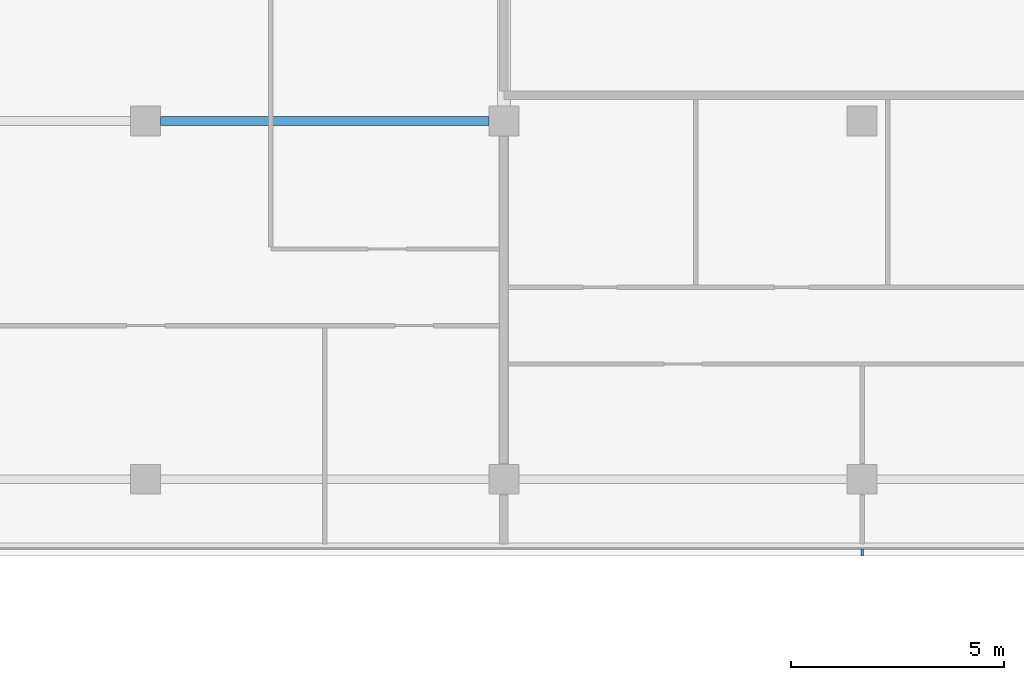
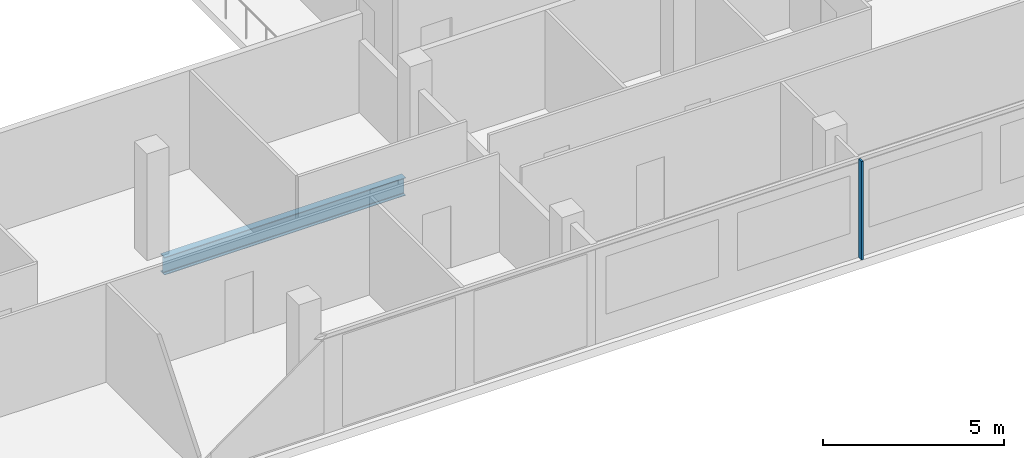
# One storey, part 6 of 30: 1 beam, 1 member, 1 element without a shape of its own.
"""IFC4 building model written with IfcOpenShell, lengths in metres."""

import ifcopenshell
import ifcopenshell.guid

model = None  # the IFC model being written
_history = None  # IfcOwnerHistory: only IFC2X3 demands one
_inside = {}  # id of a spatial element -> (the spatial element, [elements in it])
_under = {}  # id of a project, library or spatial element -> (it, [spatial elements below it])
_declared = {}  # id of a project -> (the project, [libraries it declares])
_typed = {}  # id of a type object -> (the type object, [elements of that type])
_made_of = {}  # id of a material, layer set ... -> (it, [elements and type objects made of it])


def new_model(schema):
    """Start an empty IFC model of exactly this schema.

    Asked for "IFC4X3", IfcOpenShell would pick the latest addendum, in which some entities
    have other attributes; the version numbers below select the first issue.
    IFC2X3 requires an IfcOwnerHistory on every rooted entity: one is made here for all.
    """
    global model, _history
    if schema == "IFC4X3":
        model = ifcopenshell.file(schema_version=(4, 3, 0, 0))
    else:
        model = ifcopenshell.file(schema=schema)
    _inside.clear()
    _under.clear()
    _declared.clear()
    _typed.clear()
    _made_of.clear()
    _history = None
    if model.schema == "IFC2X3":
        org = make("IfcOrganization", Name="unknown")
        user = make(
            "IfcPersonAndOrganization",
            ThePerson=make("IfcPerson", FamilyName="unknown"),
            TheOrganization=org,
        )
        app = make(
            "IfcApplication",
            ApplicationDeveloper=org,
            Version="unknown",
            ApplicationFullName="unknown",
            ApplicationIdentifier="unknown",
        )
        _history = make(
            "IfcOwnerHistory",
            OwningUser=user,
            OwningApplication=app,
            ChangeAction="ADDED",
            CreationDate=0,
        )
    return model


def make(cls, **values):
    """One entity of the class cls with the attributes given. An attribute that is None is left unset."""
    return model.create_entity(
        cls, **{name: value for name, value in values.items() if value is not None}
    )


def rooted(cls, **values):
    """An entity with a GlobalId (a new one), such as an element, a storey or a relation."""
    return make(cls, GlobalId=ifcopenshell.guid.new(), OwnerHistory=_history, **values)


def si_unit(unit_type, name, prefix=None):
    """IfcSIUnit, for example si_unit("LENGTHUNIT", "METRE", prefix="MILLI")."""
    return make("IfcSIUnit", UnitType=unit_type, Prefix=prefix, Name=name)


def assignment(units):
    """IfcUnitAssignment: the units of a project."""
    return None if units is None else make("IfcUnitAssignment", Units=units)


def point(xyz):
    """IfcCartesianPoint."""
    return None if xyz is None else make("IfcCartesianPoint", Coordinates=xyz)


def direction(xyz):
    """IfcDirection."""
    return None if xyz is None else make("IfcDirection", DirectionRatios=xyz)


def frame(location, z_axis=None, x_axis=None):
    """IfcAxis2Placement3D, a coordinate frame: its origin and axes. An axis left out is left unset."""
    return make(
        "IfcAxis2Placement3D",
        Location=point(location),
        Axis=direction(z_axis),
        RefDirection=direction(x_axis),
    )


def frame_2d(location, x_axis=None):
    """IfcAxis2Placement2D, a coordinate frame in the plane: its origin and x axis."""
    return make(
        "IfcAxis2Placement2D", Location=point(location), RefDirection=direction(x_axis)
    )


def origin():
    """The frame at (0, 0, 0) with its axes left unset."""
    return frame((0.0, 0.0, 0.0))


def origin_2d():
    """The frame at (0, 0) in the plane with its x axis left unset."""
    return frame_2d((0.0, 0.0))


def place(relative_to, where):
    """IfcLocalPlacement: puts the frame where relative to a parent placement (None: the world)."""
    return make(
        "IfcLocalPlacement", PlacementRelTo=relative_to, RelativePlacement=where
    )


def context(
    kind, dimensions, precision=None, world=None, true_north=None, identifier=None
):
    """IfcGeometricRepresentationContext, for example the 3D "Model" context."""
    return make(
        "IfcGeometricRepresentationContext",
        ContextIdentifier=identifier,
        ContextType=kind,
        CoordinateSpaceDimension=dimensions,
        Precision=precision,
        WorldCoordinateSystem=world,
        TrueNorth=true_north,
    )


def subcontext(parent, identifier, kind, view, scale=None):
    """IfcGeometricRepresentationSubContext, for example "Body" below "Model"."""
    return make(
        "IfcGeometricRepresentationSubContext",
        ContextIdentifier=identifier,
        ContextType=kind,
        ParentContext=parent,
        TargetScale=scale,
        TargetView=view,
    )


def project(units=None, contexts=None):
    """IfcProject with its units and contexts."""
    return rooted(
        "IfcProject",
        Name="project",
        RepresentationContexts=contexts,
        UnitsInContext=assignment(units),
    )


def spatial(cls, under=None, at=None, **own):
    """A site, building, storey or space (cls), placed at a placement, below another one or the project."""
    s = rooted(cls, ObjectPlacement=at, **own)
    if under is not None:
        _under.setdefault(under.id(), (under, []))[1].append(s)
    return s


def profile(cls, at=None, kind="AREA", **sizes):
    """A parametric profile (cls). Its sizes go by their IFC names, for example OverallWidth=200.0."""
    return make(cls, ProfileType=kind, Position=at, **sizes)


def rectangle(**sizes):
    """IfcRectangleProfileDef."""
    return profile("IfcRectangleProfileDef", **sizes)


def i_section(**sizes):
    """IfcIShapeProfileDef."""
    return profile("IfcIShapeProfileDef", **sizes)


def extrude(swept, where, along, depth):
    """IfcExtrudedAreaSolid: the profile swept, set in the frame where, extruded along a direction by depth."""
    return make(
        "IfcExtrudedAreaSolid",
        SweptArea=swept,
        Position=where,
        ExtrudedDirection=direction(along),
        Depth=depth,
    )


def shape(context_of_items, identifier, shape_type, items):
    """IfcShapeRepresentation: the items that make up one representation, for example the "Body"."""
    return make(
        "IfcShapeRepresentation",
        ContextOfItems=context_of_items,
        RepresentationIdentifier=identifier,
        RepresentationType=shape_type,
        Items=items,
    )


def material(Name=None, Category=None):
    """IfcMaterial."""
    return make("IfcMaterial", Name=Name, Category=Category)


def material_profile(
    of_material, cross_section, Name=None, Category=None, Priority=None
):
    """IfcMaterialProfile: a cross section and its material."""
    return make(
        "IfcMaterialProfile",
        Name=Name,
        Material=of_material,
        Profile=cross_section,
        Priority=Priority,
        Category=Category,
    )


def profile_set(profiles, Name=None, composite=None):
    """IfcMaterialProfileSet."""
    return make(
        "IfcMaterialProfileSet",
        Name=Name,
        MaterialProfiles=profiles,
        CompositeProfile=composite,
    )


def made_of(thing, what):
    """Note that an element or type object is made of a material, layer set ...; save() writes the relation."""
    if what is not None:
        _made_of.setdefault(what.id(), (what, []))[1].append(thing)
    return thing


def type_object(cls, material=None, **own):
    """A type object (cls), such as IfcWallType, which elements share."""
    return made_of(rooted(cls, **own), material)


def element(
    cls,
    number,
    at=None,
    inside=None,
    cuts=None,
    type_object=None,
    material=None,
    context=None,
    identifier="Body",
    shape_type=None,
    held_by="IfcProductDefinitionShape",
    body=None,
    shapes=None,
    **own,
):
    """One element of the class cls, such as IfcWall. Its Tag is "e" and its number.

    at: its placement. inside: the storey or other place that contains it. cuts: it is an
    opening in that element (IfcRelVoidsElement). A single representation is given by context,
    identifier, shape_type and body (its items); several are given by shapes. held_by: the class
    of the entity that holds the representations. save() writes the other relations.
    """
    e = rooted(cls, Tag="e%d" % number, ObjectPlacement=at, **own)
    if body is not None:
        shapes = [shape(context, identifier, shape_type, body)]
    if shapes is not None:
        e.Representation = make(held_by, Representations=shapes)
    if inside is not None:
        _inside.setdefault(inside.id(), (inside, []))[1].append(e)
    if cuts is not None:
        rooted(
            "IfcRelVoidsElement", RelatingBuildingElement=cuts, RelatedOpeningElement=e
        )
    if type_object is not None:
        _typed.setdefault(type_object.id(), (type_object, []))[1].append(e)
    return made_of(e, material)


def aggregate(whole, parts):
    """IfcRelAggregates: a whole, such as a stair, and the parts it consists of."""
    return rooted("IfcRelAggregates", RelatingObject=whole, RelatedObjects=parts)


def save(model, path):
    """Write the relations noted so far, then the file.

    IfcRelAggregates (storeys below a building ...), IfcRelContainedInSpatialStructure (elements
    in a storey), IfcRelDefinesByType, IfcRelAssociatesMaterial and IfcRelDeclares: one each for
    every whole, place, type object, material and project.
    """
    for whole, parts in _under.values():
        aggregate(whole, parts)
    for where, things in _inside.values():
        rooted(
            "IfcRelContainedInSpatialStructure",
            RelatedElements=things,
            RelatingStructure=where,
        )
    for kind, things in _typed.values():
        rooted("IfcRelDefinesByType", RelatedObjects=things, RelatingType=kind)
    for what, things in _made_of.values():
        rooted("IfcRelAssociatesMaterial", RelatedObjects=things, RelatingMaterial=what)
    for by, libraries in _declared.values():
        rooted("IfcRelDeclares", RelatingContext=by, RelatedDefinitions=libraries)
    model.write(path)


model = new_model("IFC4")

# Units and contexts
model_context = context("Model", 3, precision=1e-05, world=origin(), true_north=direction((0.0, 1.0)))
body_context = subcontext(model_context, "Body", "Model", "MODEL_VIEW")
ifc_project = project(units=[si_unit("LENGTHUNIT", "METRE"), si_unit("AREAUNIT", "SQUARE_METRE"), si_unit("VOLUMEUNIT", "CUBIC_METRE"), si_unit("PLANEANGLEUNIT", "RADIAN"), si_unit("MASSUNIT", "GRAM", prefix="KILO")], contexts=[model_context])

# Site, building, storey
site_placement = place(None, origin())
site = spatial("IfcSite", under=ifc_project, at=site_placement, CompositionType="ELEMENT")
building_placement = place(site_placement, origin())
building = spatial("IfcBuilding", under=site, at=building_placement, Name="Saffron Gate Tower", CompositionType="ELEMENT")
storey_placement = place(building_placement, frame((0.0, 0.0, 158.25)))
storey = spatial("IfcBuildingStorey", under=building, at=storey_placement, Name="L38", CompositionType="ELEMENT", Elevation=158.25)

# Beam
ifc_material_1 = material(Name="Structural steel S355", Category="steel")
ifc_material_profile_1 = material_profile(ifc_material_1, i_section(OverallWidth=0.219970703125, OverallDepth=0.60009765625, WebThickness=0.011962890625, FlangeThickness=0.01904296875, FilletRadius=0.02392578125, at=origin_2d()))
ifc_profile_set_1 = profile_set([ifc_material_profile_1], Name="Structural steel S355")
beam_type = type_object("IfcBeamType", Name="B15 IPE 600", PredefinedType="BEAM", material=ifc_profile_set_1)
beam_placement = place(storey_placement, frame((92.14990234375, 40.199951171875, -0.580078125), z_axis=(1.0, 0.0, 0.0), x_axis=(0.0, 1.0, 0.0)))
element("IfcBeam", 1, at=beam_placement, inside=storey, type_object=beam_type, Name="B15 FLOOR GIRDER", PredefinedType="BEAM", context=body_context, shape_type="SweptSolid", body=[
    extrude(i_section(OverallWidth=0.219970703125, OverallDepth=0.60009765625, WebThickness=0.011962890625, FlangeThickness=0.01904296875, FilletRadius=0.02392578125, at=origin_2d()), origin(), (0.0, 0.0, 1.0), 7.7001953125),
])

# Curtain wall, member
ifc_material_2 = material(Name="Aluminium, bronze anodised", Category="aluminium")
curtain_wall_type = type_object("IfcCurtainWallType", Name="CWS1 curtain wall front facade", PredefinedType="NOTDEFINED", material=ifc_material_2)
curtain_wall_placement = place(storey_placement, origin())
curtain_wall = element("IfcCurtainWall", 2, at=curtain_wall_placement, inside=storey, type_object=curtain_wall_type, Name="CWS1 run 1", PredefinedType="NOTDEFINED")
ifc_material_profile_2 = material_profile(ifc_material_2, rectangle(XDim=0.159912109375, YDim=0.06005859375, at=origin_2d()))
ifc_profile_set_2 = profile_set([ifc_material_profile_2], Name="Aluminium, bronze anodised")
member_type = type_object("IfcMemberType", Name="CWS1 mullion 60x160", PredefinedType="MULLION", material=ifc_profile_set_2)
member_placement = place(storey_placement, frame((108.60009765625, 30.080078125, 0.0), z_axis=(0.0, 0.0, 1.0), x_axis=(0.0, 1.0, 0.0)))
member = element("IfcMember", 3, at=member_placement, type_object=member_type, Name="CWS1 mullion 8", PredefinedType="MULLION", context=body_context, shape_type="SweptSolid", body=[
    extrude(rectangle(XDim=0.159912109375, YDim=0.06005859375, at=origin_2d()), origin(), (0.0, 0.0, 1.0), 3.320068359375),
])
aggregate(curtain_wall, [member])

save(model, "model.ifc")
